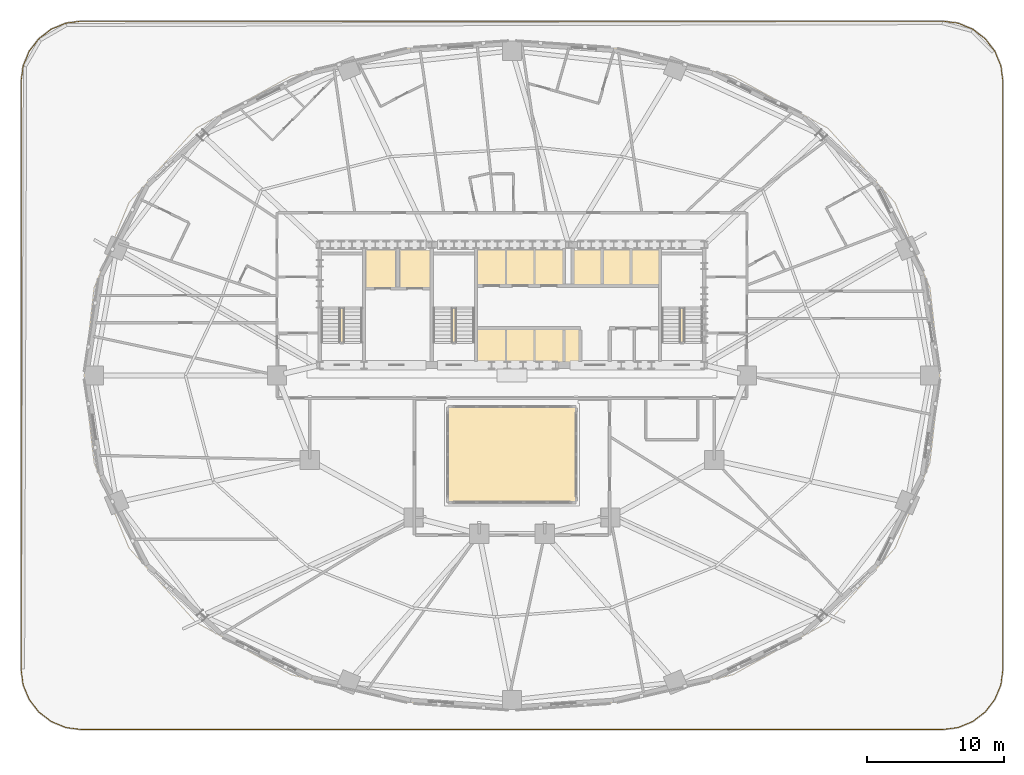
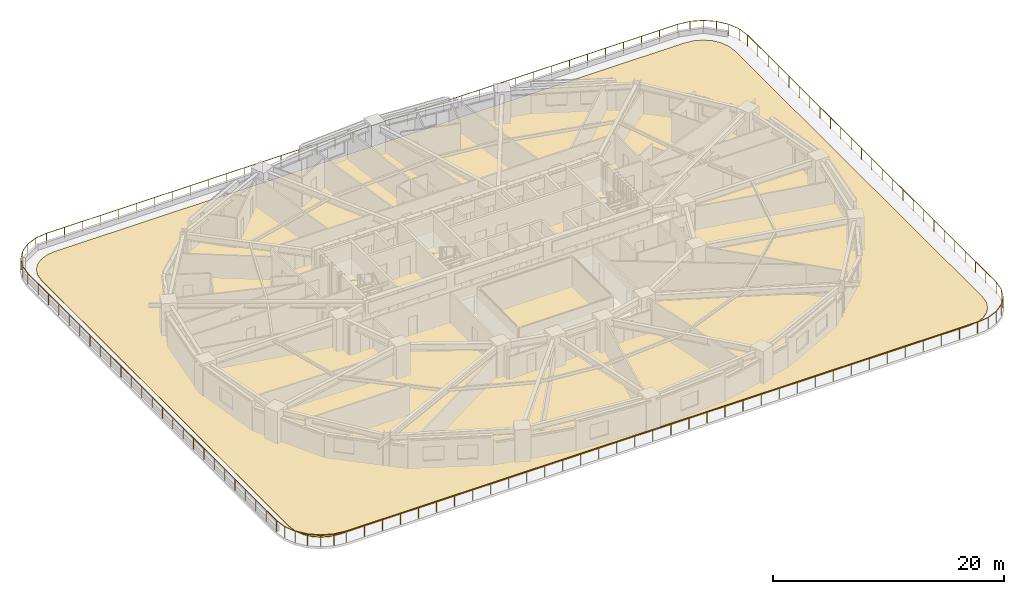
# One storey, part 16 of 18: 1 covering, 1 railing.
"""IFC4 building model written with IfcOpenShell, lengths in metres."""

from ifc_helpers import new_model, si_unit, direction, frame, origin, origin_2d, place, context, subcontext, project, spatial, polyline, rectangle, outline, extrude, material, layer, layer_set, type_object, element, save


model = new_model("IFC4")

# Units and contexts
model_context = context("Model", 3, precision=1e-05, world=origin(), true_north=direction((0.0, 1.0)))
body_context = subcontext(model_context, "Body", "Model", "MODEL_VIEW")
ifc_project = project(units=[si_unit("LENGTHUNIT", "METRE"), si_unit("AREAUNIT", "SQUARE_METRE"), si_unit("VOLUMEUNIT", "CUBIC_METRE"), si_unit("PLANEANGLEUNIT", "RADIAN"), si_unit("MASSUNIT", "GRAM", prefix="KILO")], contexts=[model_context])

# Site, building, storey
site_placement = place(None, origin())
site = spatial("IfcSite", under=ifc_project, at=site_placement, CompositionType="ELEMENT")
building_placement = place(site_placement, origin())
building = spatial("IfcBuilding", under=site, at=building_placement, Name="Haldorwick Loom Tower", CompositionType="ELEMENT")
storey_placement = place(building_placement, frame((0.0, 0.0, 24.0)))
storey = spatial("IfcBuildingStorey", under=building, at=storey_placement, Name="L05", CompositionType="ELEMENT", Elevation=24.0)

# Covering
ifc_material_1 = material(Name="SBS Modified Bitumen Inverted Roof Membrane")
ifc_layer = layer(ifc_material_1, 0.0400390625, Name="SBS Modified Bitumen Inverted Roof Membrane")
ifc_layer_set = layer_set([ifc_layer], Name="SBS Modified Bitumen Inverted Roof Membrane")
covering_type = type_object("IfcCoveringType", Name="ARC-COV-ROOFMEM", PredefinedType="ROOFING", material=ifc_layer_set)
covering_placement = place(storey_placement, origin())
element("IfcCovering", 1, at=covering_placement, inside=storey, type_object=covering_type, Name="L05 Terrace Inverted Roof Membrane 1", PredefinedType="ROOFING", context=body_context, shape_type="SweptSolid", body=[
    extrude(outline(polyline([(67.407958984375, 1.39990234375), (68.297119140625, 1.51708984375), (69.042236328125, 1.8251953125), (69.681884765625, 2.3154296875), (70.173095703125, 2.95458984375), (70.48193359375, 3.69921875), (70.599853515625, 4.5908203125), (70.60009765625, 47.406982421875), (70.48291015625, 48.297119140625), (70.1748046875, 49.042236328125), (69.6845703125, 49.681884765625), (69.04541015625, 50.173095703125), (68.30078125, 50.48193359375), (67.4091796875, 50.599853515625), (4.593017578125, 50.60009765625), (3.702880859375, 50.48291015625), (2.957763671875, 50.1748046875), (2.318115234375, 49.6845703125), (1.826904296875, 49.04541015625), (1.51806640625, 48.30078125), (1.400146484375, 47.4091796875), (1.39990234375, 4.593017578125), (1.51708984375, 3.702880859375), (1.8251953125, 2.957763671875), (2.3154296875, 2.318115234375), (2.95458984375, 1.826904296875), (3.69921875, 1.51806640625), (4.5908203125, 1.400146484375), (67.407958984375, 1.39990234375)])), origin(), (0.0, 0.0, 1.0), 0.0400390625),
])

# Railing
ifc_material_2 = material(Name="Galvanized Steel CSA G40.21 350W", Category="steel")
railing_type = type_object("IfcRailingType", Name="ARC-RLG-BAL120", PredefinedType="BALUSTRADE", material=ifc_material_2)
railing_placement = place(storey_placement, frame((0.080078125, 4.505615234375, 0.0)))
element("IfcRailing", 2, at=railing_placement, inside=storey, type_object=railing_type, Name="L05 Outdoor Terrace Guardrail SLB-L05-TERR-1-1", PredefinedType="BALUSTRADE", context=body_context, shape_type="SweptSolid", body=[
    extrude(rectangle(XDim=0.048095703125, YDim=0.048095703125, at=origin_2d()), frame((0.0, 0.0, 1.17578125), z_axis=(0.0, 1.0, 0.0), x_axis=(-1.0, 0.0, 0.0)), (0.0, 0.0, 1.0), 42.98876953125),
    extrude(rectangle(XDim=0.048095703125, YDim=0.048095703125, at=origin_2d()), frame((0.0, 42.98876953125, 1.17578125), z_axis=(0.130356455476, 0.991467192859, 0.0), x_axis=(-0.991467192859, 0.130356455476, 0.0)), (0.0, 0.0, 1.0), 1.159423828125),
    extrude(rectangle(XDim=0.048095703125, YDim=0.048095703125, at=origin_2d()), frame((0.151123046875, 44.13818359375, 1.17578125), z_axis=(0.38278160771, 0.923838860841, 0.0), x_axis=(-0.923838860841, 0.38278160771, 0.0)), (0.0, 0.0, 1.0), 1.15380859375),
    extrude(rectangle(XDim=0.048095703125, YDim=0.048095703125, at=origin_2d()), frame((0.5927734375, 45.2041015625, 1.17578125), z_axis=(0.608666997817, 0.793425790965, 0.0), x_axis=(-0.793425790965, 0.608666997817, 0.0)), (0.0, 0.0, 1.0), 1.153564453125),
    extrude(rectangle(XDim=0.048095703125, YDim=0.048095703125, at=origin_2d()), frame((1.294921875, 46.119384765625, 1.17578125), z_axis=(0.793425790965, 0.608666997817, 0.0), x_axis=(-0.608666997817, 0.793425790965, 0.0)), (0.0, 0.0, 1.0), 1.153564453125),
    extrude(rectangle(XDim=0.048095703125, YDim=0.048095703125, at=origin_2d()), frame((2.210205078125, 46.821533203125, 1.17578125), z_axis=(0.923838860841, 0.38278160771, 0.0), x_axis=(-0.38278160771, 0.923838860841, 0.0)), (0.0, 0.0, 1.0), 1.15380859375),
    extrude(rectangle(XDim=0.048095703125, YDim=0.048095703125, at=origin_2d()), frame((3.276123046875, 47.26318359375, 1.17578125), z_axis=(0.991467192859, 0.130356455476, 0.0), x_axis=(-0.130356455476, 0.991467192859, 0.0)), (0.0, 0.0, 1.0), 1.159423828125),
    extrude(rectangle(XDim=0.048095703125, YDim=0.048095703125, at=origin_2d()), frame((4.425537109375, 47.414306640625, 1.17578125), z_axis=(1.0, 0.0, 0.0), x_axis=(0.0, 1.0, 0.0)), (0.0, 0.0, 1.0), 62.98876953125),
    extrude(rectangle(XDim=0.048095703125, YDim=0.048095703125, at=origin_2d()), frame((67.414306640625, 47.414306640625, 1.17578125), z_axis=(0.991467192859, -0.130356455476, 0.0), x_axis=(0.130356455476, 0.991467192859, 0.0)), (0.0, 0.0, 1.0), 1.159423828125),
    extrude(rectangle(XDim=0.048095703125, YDim=0.048095703125, at=origin_2d()), frame((68.563720703125, 47.26318359375, 1.17578125), z_axis=(0.923838860841, -0.38278160771, 0.0), x_axis=(0.38278160771, 0.923838860841, 0.0)), (0.0, 0.0, 1.0), 1.15380859375),
    extrude(rectangle(XDim=0.048095703125, YDim=0.048095703125, at=origin_2d()), frame((69.629638671875, 46.821533203125, 1.17578125), z_axis=(0.793425790965, -0.608666997817, 0.0), x_axis=(0.608666997817, 0.793425790965, 0.0)), (0.0, 0.0, 1.0), 1.153564453125),
    extrude(rectangle(XDim=0.048095703125, YDim=0.048095703125, at=origin_2d()), frame((70.544921875, 46.119384765625, 1.17578125), z_axis=(0.608666997817, -0.793425790965, 0.0), x_axis=(0.793425790965, 0.608666997817, 0.0)), (0.0, 0.0, 1.0), 1.153564453125),
    extrude(rectangle(XDim=0.048095703125, YDim=0.048095703125, at=origin_2d()), frame((71.2470703125, 45.2041015625, 1.17578125), z_axis=(0.38278160771, -0.923838860841, 0.0), x_axis=(0.923838860841, 0.38278160771, 0.0)), (0.0, 0.0, 1.0), 1.15380859375),
    extrude(rectangle(XDim=0.048095703125, YDim=0.048095703125, at=origin_2d()), frame((71.688720703125, 44.13818359375, 1.17578125), z_axis=(0.130356455476, -0.991467192859, 0.0), x_axis=(0.991467192859, 0.130356455476, 0.0)), (0.0, 0.0, 1.0), 1.159423828125),
    extrude(rectangle(XDim=0.048095703125, YDim=0.048095703125, at=origin_2d()), frame((71.83984375, 42.98876953125, 1.17578125), z_axis=(0.0, -1.0, 0.0), x_axis=(1.0, 0.0, 0.0)), (0.0, 0.0, 1.0), 42.98876953125),
    extrude(rectangle(XDim=0.048095703125, YDim=0.048095703125, at=origin_2d()), frame((71.83984375, 0.0, 1.17578125), z_axis=(-0.130356455476, -0.991467192859, 0.0), x_axis=(0.991467192859, -0.130356455476, 0.0)), (0.0, 0.0, 1.0), 1.159423828125),
    extrude(rectangle(XDim=0.048095703125, YDim=0.048095703125, at=origin_2d()), frame((71.688720703125, -1.1494140625, 1.17578125), z_axis=(-0.38278160771, -0.923838860841, 0.0), x_axis=(0.923838860841, -0.38278160771, 0.0)), (0.0, 0.0, 1.0), 1.15380859375),
    extrude(rectangle(XDim=0.048095703125, YDim=0.048095703125, at=origin_2d()), frame((71.2470703125, -2.21533203125, 1.17578125), z_axis=(-0.608666997817, -0.793425790965, 0.0), x_axis=(0.793425790965, -0.608666997817, 0.0)), (0.0, 0.0, 1.0), 1.153564453125),
    extrude(rectangle(XDim=0.048095703125, YDim=0.048095703125, at=origin_2d()), frame((70.544921875, -3.130615234375, 1.17578125), z_axis=(-0.793425790965, -0.608666997817, 0.0), x_axis=(0.608666997817, -0.793425790965, 0.0)), (0.0, 0.0, 1.0), 1.153564453125),
    extrude(rectangle(XDim=0.048095703125, YDim=0.048095703125, at=origin_2d()), frame((69.629638671875, -3.832763671875, 1.17578125), z_axis=(-0.923838860841, -0.38278160771, 0.0), x_axis=(0.38278160771, -0.923838860841, 0.0)), (0.0, 0.0, 1.0), 1.15380859375),
    extrude(rectangle(XDim=0.048095703125, YDim=0.048095703125, at=origin_2d()), frame((68.563720703125, -4.2744140625, 1.17578125), z_axis=(-0.991467192859, -0.130356455476, 0.0), x_axis=(0.130356455476, -0.991467192859, 0.0)), (0.0, 0.0, 1.0), 1.159423828125),
    extrude(rectangle(XDim=0.048095703125, YDim=0.048095703125, at=origin_2d()), frame((67.414306640625, -4.425537109375, 1.17578125), z_axis=(-1.0, 0.0, 0.0), x_axis=(0.0, -1.0, 0.0)), (0.0, 0.0, 1.0), 62.98876953125),
    extrude(rectangle(XDim=0.048095703125, YDim=0.048095703125, at=origin_2d()), frame((4.425537109375, -4.425537109375, 1.17578125), z_axis=(-0.991467192859, 0.130356455476, 0.0), x_axis=(-0.130356455476, -0.991467192859, 0.0)), (0.0, 0.0, 1.0), 1.159423828125),
    extrude(rectangle(XDim=0.048095703125, YDim=0.048095703125, at=origin_2d()), frame((3.276123046875, -4.2744140625, 1.17578125), z_axis=(-0.923838860841, 0.38278160771, 0.0), x_axis=(-0.38278160771, -0.923838860841, 0.0)), (0.0, 0.0, 1.0), 1.15380859375),
    extrude(rectangle(XDim=0.048095703125, YDim=0.048095703125, at=origin_2d()), frame((2.210205078125, -3.832763671875, 1.17578125), z_axis=(-0.793425790965, 0.608666997817, 0.0), x_axis=(-0.608666997817, -0.793425790965, 0.0)), (0.0, 0.0, 1.0), 1.153564453125),
    extrude(rectangle(XDim=0.048095703125, YDim=0.048095703125, at=origin_2d()), frame((1.294921875, -3.130615234375, 1.17578125), z_axis=(-0.608666997817, 0.793425790965, 0.0), x_axis=(-0.793425790965, -0.608666997817, 0.0)), (0.0, 0.0, 1.0), 1.153564453125),
    extrude(rectangle(XDim=0.048095703125, YDim=0.048095703125, at=origin_2d()), frame((0.5927734375, -2.21533203125, 1.17578125), z_axis=(-0.38278160771, 0.923838860841, 0.0), x_axis=(-0.923838860841, -0.38278160771, 0.0)), (0.0, 0.0, 1.0), 1.15380859375),
    extrude(rectangle(XDim=0.048095703125, YDim=0.048095703125, at=origin_2d()), frame((0.151123046875, -1.1494140625, 1.17578125), z_axis=(-0.130356455476, 0.991467192859, 0.0), x_axis=(-0.991467192859, -0.130356455476, 0.0)), (0.0, 0.0, 1.0), 1.159423828125),
    extrude(rectangle(XDim=0.0419921875, YDim=0.0419921875, at=origin_2d()), origin(), (0.0, 0.0, 1.0), 1.15185546875),
    extrude(rectangle(XDim=0.0419921875, YDim=0.0419921875, at=origin_2d()), frame((0.0, 1.791259765625, 0.0)), (0.0, 0.0, 1.0), 1.15185546875),
    extrude(rectangle(XDim=0.0419921875, YDim=0.0419921875, at=origin_2d()), frame((0.0, 3.58251953125, 0.0)), (0.0, 0.0, 1.0), 1.15185546875),
    extrude(rectangle(XDim=0.0419921875, YDim=0.0419921875, at=origin_2d()), frame((0.0, 5.37353515625, 0.0)), (0.0, 0.0, 1.0), 1.15185546875),
    extrude(rectangle(XDim=0.0419921875, YDim=0.0419921875, at=origin_2d()), frame((0.0, 7.164794921875, 0.0)), (0.0, 0.0, 1.0), 1.15185546875),
    extrude(rectangle(XDim=0.0419921875, YDim=0.0419921875, at=origin_2d()), frame((0.0, 8.9560546875, 0.0)), (0.0, 0.0, 1.0), 1.15185546875),
    extrude(rectangle(XDim=0.0419921875, YDim=0.0419921875, at=origin_2d()), frame((0.0, 10.7470703125, 0.0)), (0.0, 0.0, 1.0), 1.15185546875),
    extrude(rectangle(XDim=0.0419921875, YDim=0.0419921875, at=origin_2d()), frame((0.0, 12.538330078125, 0.0)), (0.0, 0.0, 1.0), 1.15185546875),
    extrude(rectangle(XDim=0.0419921875, YDim=0.0419921875, at=origin_2d()), frame((0.0, 14.32958984375, 0.0)), (0.0, 0.0, 1.0), 1.15185546875),
    extrude(rectangle(XDim=0.0419921875, YDim=0.0419921875, at=origin_2d()), frame((0.0, 16.120849609375, 0.0)), (0.0, 0.0, 1.0), 1.15185546875),
    extrude(rectangle(XDim=0.0419921875, YDim=0.0419921875, at=origin_2d()), frame((0.0, 17.912109375, 0.0)), (0.0, 0.0, 1.0), 1.15185546875),
    extrude(rectangle(XDim=0.0419921875, YDim=0.0419921875, at=origin_2d()), frame((0.0, 19.703125, 0.0)), (0.0, 0.0, 1.0), 1.15185546875),
    extrude(rectangle(XDim=0.0419921875, YDim=0.0419921875, at=origin_2d()), frame((0.0, 21.494384765625, 0.0)), (0.0, 0.0, 1.0), 1.15185546875),
    extrude(rectangle(XDim=0.0419921875, YDim=0.0419921875, at=origin_2d()), frame((0.0, 23.28564453125, 0.0)), (0.0, 0.0, 1.0), 1.15185546875),
    extrude(rectangle(XDim=0.0419921875, YDim=0.0419921875, at=origin_2d()), frame((0.0, 25.07666015625, 0.0)), (0.0, 0.0, 1.0), 1.15185546875),
    extrude(rectangle(XDim=0.0419921875, YDim=0.0419921875, at=origin_2d()), frame((0.0, 26.867919921875, 0.0)), (0.0, 0.0, 1.0), 1.15185546875),
    extrude(rectangle(XDim=0.0419921875, YDim=0.0419921875, at=origin_2d()), frame((0.0, 28.6591796875, 0.0)), (0.0, 0.0, 1.0), 1.15185546875),
    extrude(rectangle(XDim=0.0419921875, YDim=0.0419921875, at=origin_2d()), frame((0.0, 30.450439453125, 0.0)), (0.0, 0.0, 1.0), 1.15185546875),
    extrude(rectangle(XDim=0.0419921875, YDim=0.0419921875, at=origin_2d()), frame((0.0, 32.24169921875, 0.0)), (0.0, 0.0, 1.0), 1.15185546875),
    extrude(rectangle(XDim=0.0419921875, YDim=0.0419921875, at=origin_2d()), frame((0.0, 34.03271484375, 0.0)), (0.0, 0.0, 1.0), 1.15185546875),
    extrude(rectangle(XDim=0.0419921875, YDim=0.0419921875, at=origin_2d()), frame((0.0, 35.823974609375, 0.0)), (0.0, 0.0, 1.0), 1.15185546875),
    extrude(rectangle(XDim=0.0419921875, YDim=0.0419921875, at=origin_2d()), frame((0.0, 37.615234375, 0.0)), (0.0, 0.0, 1.0), 1.15185546875),
    extrude(rectangle(XDim=0.0419921875, YDim=0.0419921875, at=origin_2d()), frame((0.0, 39.40625, 0.0)), (0.0, 0.0, 1.0), 1.15185546875),
    extrude(rectangle(XDim=0.0419921875, YDim=0.0419921875, at=origin_2d()), frame((0.0, 41.197509765625, 0.0)), (0.0, 0.0, 1.0), 1.15185546875),
    extrude(rectangle(XDim=0.0419921875, YDim=0.0419921875, at=origin_2d()), frame((0.0, 42.98876953125, 0.0)), (0.0, 0.0, 1.0), 1.15185546875),
    extrude(rectangle(XDim=0.0419921875, YDim=0.0419921875, at=origin_2d()), frame((0.151123046875, 44.13818359375, 0.0)), (0.0, 0.0, 1.0), 1.15185546875),
    extrude(rectangle(XDim=0.0419921875, YDim=0.0419921875, at=origin_2d()), frame((0.5927734375, 45.2041015625, 0.0)), (0.0, 0.0, 1.0), 1.15185546875),
    extrude(rectangle(XDim=0.0419921875, YDim=0.0419921875, at=origin_2d()), frame((1.294921875, 46.119384765625, 0.0)), (0.0, 0.0, 1.0), 1.15185546875),
    extrude(rectangle(XDim=0.0419921875, YDim=0.0419921875, at=origin_2d()), frame((2.210205078125, 46.821533203125, 0.0)), (0.0, 0.0, 1.0), 1.15185546875),
    extrude(rectangle(XDim=0.0419921875, YDim=0.0419921875, at=origin_2d()), frame((3.276123046875, 47.26318359375, 0.0)), (0.0, 0.0, 1.0), 1.15185546875),
    extrude(rectangle(XDim=0.0419921875, YDim=0.0419921875, at=origin_2d()), frame((4.425537109375, 47.414306640625, 0.0)), (0.0, 0.0, 1.0), 1.15185546875),
    extrude(rectangle(XDim=0.0419921875, YDim=0.0419921875, at=origin_2d()), frame((6.22509765625, 47.414306640625, 0.0)), (0.0, 0.0, 1.0), 1.15185546875),
    extrude(rectangle(XDim=0.0419921875, YDim=0.0419921875, at=origin_2d()), frame((8.02490234375, 47.414306640625, 0.0)), (0.0, 0.0, 1.0), 1.15185546875),
    extrude(rectangle(XDim=0.0419921875, YDim=0.0419921875, at=origin_2d()), frame((9.824462890625, 47.414306640625, 0.0)), (0.0, 0.0, 1.0), 1.15185546875),
    extrude(rectangle(XDim=0.0419921875, YDim=0.0419921875, at=origin_2d()), frame((11.624267578125, 47.414306640625, 0.0)), (0.0, 0.0, 1.0), 1.15185546875),
    extrude(rectangle(XDim=0.0419921875, YDim=0.0419921875, at=origin_2d()), frame((13.423828125, 47.414306640625, 0.0)), (0.0, 0.0, 1.0), 1.15185546875),
    extrude(rectangle(XDim=0.0419921875, YDim=0.0419921875, at=origin_2d()), frame((15.2236328125, 47.414306640625, 0.0)), (0.0, 0.0, 1.0), 1.15185546875),
    extrude(rectangle(XDim=0.0419921875, YDim=0.0419921875, at=origin_2d()), frame((17.023193359375, 47.414306640625, 0.0)), (0.0, 0.0, 1.0), 1.15185546875),
    extrude(rectangle(XDim=0.0419921875, YDim=0.0419921875, at=origin_2d()), frame((18.822998046875, 47.414306640625, 0.0)), (0.0, 0.0, 1.0), 1.15185546875),
    extrude(rectangle(XDim=0.0419921875, YDim=0.0419921875, at=origin_2d()), frame((20.62255859375, 47.414306640625, 0.0)), (0.0, 0.0, 1.0), 1.15185546875),
    extrude(rectangle(XDim=0.0419921875, YDim=0.0419921875, at=origin_2d()), frame((22.42236328125, 47.414306640625, 0.0)), (0.0, 0.0, 1.0), 1.15185546875),
    extrude(rectangle(XDim=0.0419921875, YDim=0.0419921875, at=origin_2d()), frame((24.221923828125, 47.414306640625, 0.0)), (0.0, 0.0, 1.0), 1.15185546875),
    extrude(rectangle(XDim=0.0419921875, YDim=0.0419921875, at=origin_2d()), frame((26.021728515625, 47.414306640625, 0.0)), (0.0, 0.0, 1.0), 1.15185546875),
    extrude(rectangle(XDim=0.0419921875, YDim=0.0419921875, at=origin_2d()), frame((27.8212890625, 47.414306640625, 0.0)), (0.0, 0.0, 1.0), 1.15185546875),
    extrude(rectangle(XDim=0.0419921875, YDim=0.0419921875, at=origin_2d()), frame((29.62109375, 47.414306640625, 0.0)), (0.0, 0.0, 1.0), 1.15185546875),
    extrude(rectangle(XDim=0.0419921875, YDim=0.0419921875, at=origin_2d()), frame((31.420654296875, 47.414306640625, 0.0)), (0.0, 0.0, 1.0), 1.15185546875),
    extrude(rectangle(XDim=0.0419921875, YDim=0.0419921875, at=origin_2d()), frame((33.220458984375, 47.414306640625, 0.0)), (0.0, 0.0, 1.0), 1.15185546875),
    extrude(rectangle(XDim=0.0419921875, YDim=0.0419921875, at=origin_2d()), frame((35.02001953125, 47.414306640625, 0.0)), (0.0, 0.0, 1.0), 1.15185546875),
    extrude(rectangle(XDim=0.0419921875, YDim=0.0419921875, at=origin_2d()), frame((36.81982421875, 47.414306640625, 0.0)), (0.0, 0.0, 1.0), 1.15185546875),
    extrude(rectangle(XDim=0.0419921875, YDim=0.0419921875, at=origin_2d()), frame((38.619384765625, 47.414306640625, 0.0)), (0.0, 0.0, 1.0), 1.15185546875),
    extrude(rectangle(XDim=0.0419921875, YDim=0.0419921875, at=origin_2d()), frame((40.419189453125, 47.414306640625, 0.0)), (0.0, 0.0, 1.0), 1.15185546875),
    extrude(rectangle(XDim=0.0419921875, YDim=0.0419921875, at=origin_2d()), frame((42.21875, 47.414306640625, 0.0)), (0.0, 0.0, 1.0), 1.15185546875),
    extrude(rectangle(XDim=0.0419921875, YDim=0.0419921875, at=origin_2d()), frame((44.0185546875, 47.414306640625, 0.0)), (0.0, 0.0, 1.0), 1.15185546875),
    extrude(rectangle(XDim=0.0419921875, YDim=0.0419921875, at=origin_2d()), frame((45.818115234375, 47.414306640625, 0.0)), (0.0, 0.0, 1.0), 1.15185546875),
    extrude(rectangle(XDim=0.0419921875, YDim=0.0419921875, at=origin_2d()), frame((47.617919921875, 47.414306640625, 0.0)), (0.0, 0.0, 1.0), 1.15185546875),
    extrude(rectangle(XDim=0.0419921875, YDim=0.0419921875, at=origin_2d()), frame((49.41748046875, 47.414306640625, 0.0)), (0.0, 0.0, 1.0), 1.15185546875),
    extrude(rectangle(XDim=0.0419921875, YDim=0.0419921875, at=origin_2d()), frame((51.21728515625, 47.414306640625, 0.0)), (0.0, 0.0, 1.0), 1.15185546875),
    extrude(rectangle(XDim=0.0419921875, YDim=0.0419921875, at=origin_2d()), frame((53.016845703125, 47.414306640625, 0.0)), (0.0, 0.0, 1.0), 1.15185546875),
    extrude(rectangle(XDim=0.0419921875, YDim=0.0419921875, at=origin_2d()), frame((54.816650390625, 47.414306640625, 0.0)), (0.0, 0.0, 1.0), 1.15185546875),
    extrude(rectangle(XDim=0.0419921875, YDim=0.0419921875, at=origin_2d()), frame((56.6162109375, 47.414306640625, 0.0)), (0.0, 0.0, 1.0), 1.15185546875),
    extrude(rectangle(XDim=0.0419921875, YDim=0.0419921875, at=origin_2d()), frame((58.416015625, 47.414306640625, 0.0)), (0.0, 0.0, 1.0), 1.15185546875),
    extrude(rectangle(XDim=0.0419921875, YDim=0.0419921875, at=origin_2d()), frame((60.215576171875, 47.414306640625, 0.0)), (0.0, 0.0, 1.0), 1.15185546875),
    extrude(rectangle(XDim=0.0419921875, YDim=0.0419921875, at=origin_2d()), frame((62.015380859375, 47.414306640625, 0.0)), (0.0, 0.0, 1.0), 1.15185546875),
    extrude(rectangle(XDim=0.0419921875, YDim=0.0419921875, at=origin_2d()), frame((63.81494140625, 47.414306640625, 0.0)), (0.0, 0.0, 1.0), 1.15185546875),
    extrude(rectangle(XDim=0.0419921875, YDim=0.0419921875, at=origin_2d()), frame((65.61474609375, 47.414306640625, 0.0)), (0.0, 0.0, 1.0), 1.15185546875),
    extrude(rectangle(XDim=0.0419921875, YDim=0.0419921875, at=origin_2d()), frame((67.414306640625, 47.414306640625, 0.0)), (0.0, 0.0, 1.0), 1.15185546875),
    extrude(rectangle(XDim=0.0419921875, YDim=0.0419921875, at=origin_2d()), frame((68.563720703125, 47.26318359375, 0.0)), (0.0, 0.0, 1.0), 1.15185546875),
    extrude(rectangle(XDim=0.0419921875, YDim=0.0419921875, at=origin_2d()), frame((69.629638671875, 46.821533203125, 0.0)), (0.0, 0.0, 1.0), 1.15185546875),
    extrude(rectangle(XDim=0.0419921875, YDim=0.0419921875, at=origin_2d()), frame((70.544921875, 46.119384765625, 0.0)), (0.0, 0.0, 1.0), 1.15185546875),
    extrude(rectangle(XDim=0.0419921875, YDim=0.0419921875, at=origin_2d()), frame((71.2470703125, 45.2041015625, 0.0)), (0.0, 0.0, 1.0), 1.15185546875),
    extrude(rectangle(XDim=0.0419921875, YDim=0.0419921875, at=origin_2d()), frame((71.688720703125, 44.13818359375, 0.0)), (0.0, 0.0, 1.0), 1.15185546875),
    extrude(rectangle(XDim=0.0419921875, YDim=0.0419921875, at=origin_2d()), frame((71.83984375, 42.98876953125, 0.0)), (0.0, 0.0, 1.0), 1.15185546875),
    extrude(rectangle(XDim=0.0419921875, YDim=0.0419921875, at=origin_2d()), frame((71.83984375, 41.197509765625, 0.0)), (0.0, 0.0, 1.0), 1.15185546875),
    extrude(rectangle(XDim=0.0419921875, YDim=0.0419921875, at=origin_2d()), frame((71.83984375, 39.40625, 0.0)), (0.0, 0.0, 1.0), 1.15185546875),
    extrude(rectangle(XDim=0.0419921875, YDim=0.0419921875, at=origin_2d()), frame((71.83984375, 37.615234375, 0.0)), (0.0, 0.0, 1.0), 1.15185546875),
    extrude(rectangle(XDim=0.0419921875, YDim=0.0419921875, at=origin_2d()), frame((71.83984375, 35.823974609375, 0.0)), (0.0, 0.0, 1.0), 1.15185546875),
    extrude(rectangle(XDim=0.0419921875, YDim=0.0419921875, at=origin_2d()), frame((71.83984375, 34.03271484375, 0.0)), (0.0, 0.0, 1.0), 1.15185546875),
    extrude(rectangle(XDim=0.0419921875, YDim=0.0419921875, at=origin_2d()), frame((71.83984375, 32.24169921875, 0.0)), (0.0, 0.0, 1.0), 1.15185546875),
    extrude(rectangle(XDim=0.0419921875, YDim=0.0419921875, at=origin_2d()), frame((71.83984375, 30.450439453125, 0.0)), (0.0, 0.0, 1.0), 1.15185546875),
    extrude(rectangle(XDim=0.0419921875, YDim=0.0419921875, at=origin_2d()), frame((71.83984375, 28.6591796875, 0.0)), (0.0, 0.0, 1.0), 1.15185546875),
    extrude(rectangle(XDim=0.0419921875, YDim=0.0419921875, at=origin_2d()), frame((71.83984375, 26.867919921875, 0.0)), (0.0, 0.0, 1.0), 1.15185546875),
    extrude(rectangle(XDim=0.0419921875, YDim=0.0419921875, at=origin_2d()), frame((71.83984375, 25.07666015625, 0.0)), (0.0, 0.0, 1.0), 1.15185546875),
    extrude(rectangle(XDim=0.0419921875, YDim=0.0419921875, at=origin_2d()), frame((71.83984375, 23.28564453125, 0.0)), (0.0, 0.0, 1.0), 1.15185546875),
    extrude(rectangle(XDim=0.0419921875, YDim=0.0419921875, at=origin_2d()), frame((71.83984375, 21.494384765625, 0.0)), (0.0, 0.0, 1.0), 1.15185546875),
    extrude(rectangle(XDim=0.0419921875, YDim=0.0419921875, at=origin_2d()), frame((71.83984375, 19.703125, 0.0)), (0.0, 0.0, 1.0), 1.15185546875),
    extrude(rectangle(XDim=0.0419921875, YDim=0.0419921875, at=origin_2d()), frame((71.83984375, 17.912109375, 0.0)), (0.0, 0.0, 1.0), 1.15185546875),
    extrude(rectangle(XDim=0.0419921875, YDim=0.0419921875, at=origin_2d()), frame((71.83984375, 16.120849609375, 0.0)), (0.0, 0.0, 1.0), 1.15185546875),
    extrude(rectangle(XDim=0.0419921875, YDim=0.0419921875, at=origin_2d()), frame((71.83984375, 14.32958984375, 0.0)), (0.0, 0.0, 1.0), 1.15185546875),
    extrude(rectangle(XDim=0.0419921875, YDim=0.0419921875, at=origin_2d()), frame((71.83984375, 12.538330078125, 0.0)), (0.0, 0.0, 1.0), 1.15185546875),
    extrude(rectangle(XDim=0.0419921875, YDim=0.0419921875, at=origin_2d()), frame((71.83984375, 10.7470703125, 0.0)), (0.0, 0.0, 1.0), 1.15185546875),
    extrude(rectangle(XDim=0.0419921875, YDim=0.0419921875, at=origin_2d()), frame((71.83984375, 8.9560546875, 0.0)), (0.0, 0.0, 1.0), 1.15185546875),
    extrude(rectangle(XDim=0.0419921875, YDim=0.0419921875, at=origin_2d()), frame((71.83984375, 7.164794921875, 0.0)), (0.0, 0.0, 1.0), 1.15185546875),
    extrude(rectangle(XDim=0.0419921875, YDim=0.0419921875, at=origin_2d()), frame((71.83984375, 5.37353515625, 0.0)), (0.0, 0.0, 1.0), 1.15185546875),
    extrude(rectangle(XDim=0.0419921875, YDim=0.0419921875, at=origin_2d()), frame((71.83984375, 3.58251953125, 0.0)), (0.0, 0.0, 1.0), 1.15185546875),
    extrude(rectangle(XDim=0.0419921875, YDim=0.0419921875, at=origin_2d()), frame((71.83984375, 1.791259765625, 0.0)), (0.0, 0.0, 1.0), 1.15185546875),
    extrude(rectangle(XDim=0.0419921875, YDim=0.0419921875, at=origin_2d()), frame((71.83984375, 0.0, 0.0)), (0.0, 0.0, 1.0), 1.15185546875),
    extrude(rectangle(XDim=0.0419921875, YDim=0.0419921875, at=origin_2d()), frame((71.688720703125, -1.1494140625, 0.0)), (0.0, 0.0, 1.0), 1.15185546875),
    extrude(rectangle(XDim=0.0419921875, YDim=0.0419921875, at=origin_2d()), frame((71.2470703125, -2.21533203125, 0.0)), (0.0, 0.0, 1.0), 1.15185546875),
    extrude(rectangle(XDim=0.0419921875, YDim=0.0419921875, at=origin_2d()), frame((70.544921875, -3.130615234375, 0.0)), (0.0, 0.0, 1.0), 1.15185546875),
    extrude(rectangle(XDim=0.0419921875, YDim=0.0419921875, at=origin_2d()), frame((69.629638671875, -3.832763671875, 0.0)), (0.0, 0.0, 1.0), 1.15185546875),
    extrude(rectangle(XDim=0.0419921875, YDim=0.0419921875, at=origin_2d()), frame((68.563720703125, -4.2744140625, 0.0)), (0.0, 0.0, 1.0), 1.15185546875),
    extrude(rectangle(XDim=0.0419921875, YDim=0.0419921875, at=origin_2d()), frame((67.414306640625, -4.425537109375, 0.0)), (0.0, 0.0, 1.0), 1.15185546875),
    extrude(rectangle(XDim=0.0419921875, YDim=0.0419921875, at=origin_2d()), frame((65.61474609375, -4.425537109375, 0.0)), (0.0, 0.0, 1.0), 1.15185546875),
    extrude(rectangle(XDim=0.0419921875, YDim=0.0419921875, at=origin_2d()), frame((63.81494140625, -4.425537109375, 0.0)), (0.0, 0.0, 1.0), 1.15185546875),
    extrude(rectangle(XDim=0.0419921875, YDim=0.0419921875, at=origin_2d()), frame((62.015380859375, -4.425537109375, 0.0)), (0.0, 0.0, 1.0), 1.15185546875),
    extrude(rectangle(XDim=0.0419921875, YDim=0.0419921875, at=origin_2d()), frame((60.215576171875, -4.425537109375, 0.0)), (0.0, 0.0, 1.0), 1.15185546875),
    extrude(rectangle(XDim=0.0419921875, YDim=0.0419921875, at=origin_2d()), frame((58.416015625, -4.425537109375, 0.0)), (0.0, 0.0, 1.0), 1.15185546875),
    extrude(rectangle(XDim=0.0419921875, YDim=0.0419921875, at=origin_2d()), frame((56.6162109375, -4.425537109375, 0.0)), (0.0, 0.0, 1.0), 1.15185546875),
    extrude(rectangle(XDim=0.0419921875, YDim=0.0419921875, at=origin_2d()), frame((54.816650390625, -4.425537109375, 0.0)), (0.0, 0.0, 1.0), 1.15185546875),
    extrude(rectangle(XDim=0.0419921875, YDim=0.0419921875, at=origin_2d()), frame((53.016845703125, -4.425537109375, 0.0)), (0.0, 0.0, 1.0), 1.15185546875),
    extrude(rectangle(XDim=0.0419921875, YDim=0.0419921875, at=origin_2d()), frame((51.21728515625, -4.425537109375, 0.0)), (0.0, 0.0, 1.0), 1.15185546875),
    extrude(rectangle(XDim=0.0419921875, YDim=0.0419921875, at=origin_2d()), frame((49.41748046875, -4.425537109375, 0.0)), (0.0, 0.0, 1.0), 1.15185546875),
    extrude(rectangle(XDim=0.0419921875, YDim=0.0419921875, at=origin_2d()), frame((47.617919921875, -4.425537109375, 0.0)), (0.0, 0.0, 1.0), 1.15185546875),
    extrude(rectangle(XDim=0.0419921875, YDim=0.0419921875, at=origin_2d()), frame((45.818115234375, -4.425537109375, 0.0)), (0.0, 0.0, 1.0), 1.15185546875),
    extrude(rectangle(XDim=0.0419921875, YDim=0.0419921875, at=origin_2d()), frame((44.0185546875, -4.425537109375, 0.0)), (0.0, 0.0, 1.0), 1.15185546875),
    extrude(rectangle(XDim=0.0419921875, YDim=0.0419921875, at=origin_2d()), frame((42.21875, -4.425537109375, 0.0)), (0.0, 0.0, 1.0), 1.15185546875),
    extrude(rectangle(XDim=0.0419921875, YDim=0.0419921875, at=origin_2d()), frame((40.419189453125, -4.425537109375, 0.0)), (0.0, 0.0, 1.0), 1.15185546875),
    extrude(rectangle(XDim=0.0419921875, YDim=0.0419921875, at=origin_2d()), frame((38.619384765625, -4.425537109375, 0.0)), (0.0, 0.0, 1.0), 1.15185546875),
    extrude(rectangle(XDim=0.0419921875, YDim=0.0419921875, at=origin_2d()), frame((36.81982421875, -4.425537109375, 0.0)), (0.0, 0.0, 1.0), 1.15185546875),
    extrude(rectangle(XDim=0.0419921875, YDim=0.0419921875, at=origin_2d()), frame((35.02001953125, -4.425537109375, 0.0)), (0.0, 0.0, 1.0), 1.15185546875),
    extrude(rectangle(XDim=0.0419921875, YDim=0.0419921875, at=origin_2d()), frame((33.220458984375, -4.425537109375, 0.0)), (0.0, 0.0, 1.0), 1.15185546875),
    extrude(rectangle(XDim=0.0419921875, YDim=0.0419921875, at=origin_2d()), frame((31.420654296875, -4.425537109375, 0.0)), (0.0, 0.0, 1.0), 1.15185546875),
    extrude(rectangle(XDim=0.0419921875, YDim=0.0419921875, at=origin_2d()), frame((29.62109375, -4.425537109375, 0.0)), (0.0, 0.0, 1.0), 1.15185546875),
    extrude(rectangle(XDim=0.0419921875, YDim=0.0419921875, at=origin_2d()), frame((27.8212890625, -4.425537109375, 0.0)), (0.0, 0.0, 1.0), 1.15185546875),
    extrude(rectangle(XDim=0.0419921875, YDim=0.0419921875, at=origin_2d()), frame((26.021728515625, -4.425537109375, 0.0)), (0.0, 0.0, 1.0), 1.15185546875),
    extrude(rectangle(XDim=0.0419921875, YDim=0.0419921875, at=origin_2d()), frame((24.221923828125, -4.425537109375, 0.0)), (0.0, 0.0, 1.0), 1.15185546875),
    extrude(rectangle(XDim=0.0419921875, YDim=0.0419921875, at=origin_2d()), frame((22.42236328125, -4.425537109375, 0.0)), (0.0, 0.0, 1.0), 1.15185546875),
    extrude(rectangle(XDim=0.0419921875, YDim=0.0419921875, at=origin_2d()), frame((20.62255859375, -4.425537109375, 0.0)), (0.0, 0.0, 1.0), 1.15185546875),
    extrude(rectangle(XDim=0.0419921875, YDim=0.0419921875, at=origin_2d()), frame((18.822998046875, -4.425537109375, 0.0)), (0.0, 0.0, 1.0), 1.15185546875),
    extrude(rectangle(XDim=0.0419921875, YDim=0.0419921875, at=origin_2d()), frame((17.023193359375, -4.425537109375, 0.0)), (0.0, 0.0, 1.0), 1.15185546875),
    extrude(rectangle(XDim=0.0419921875, YDim=0.0419921875, at=origin_2d()), frame((15.2236328125, -4.425537109375, 0.0)), (0.0, 0.0, 1.0), 1.15185546875),
    extrude(rectangle(XDim=0.0419921875, YDim=0.0419921875, at=origin_2d()), frame((13.423828125, -4.425537109375, 0.0)), (0.0, 0.0, 1.0), 1.15185546875),
    extrude(rectangle(XDim=0.0419921875, YDim=0.0419921875, at=origin_2d()), frame((11.624267578125, -4.425537109375, 0.0)), (0.0, 0.0, 1.0), 1.15185546875),
    extrude(rectangle(XDim=0.0419921875, YDim=0.0419921875, at=origin_2d()), frame((9.824462890625, -4.425537109375, 0.0)), (0.0, 0.0, 1.0), 1.15185546875),
    extrude(rectangle(XDim=0.0419921875, YDim=0.0419921875, at=origin_2d()), frame((8.02490234375, -4.425537109375, 0.0)), (0.0, 0.0, 1.0), 1.15185546875),
    extrude(rectangle(XDim=0.0419921875, YDim=0.0419921875, at=origin_2d()), frame((6.22509765625, -4.425537109375, 0.0)), (0.0, 0.0, 1.0), 1.15185546875),
    extrude(rectangle(XDim=0.0419921875, YDim=0.0419921875, at=origin_2d()), frame((4.425537109375, -4.425537109375, 0.0)), (0.0, 0.0, 1.0), 1.15185546875),
    extrude(rectangle(XDim=0.0419921875, YDim=0.0419921875, at=origin_2d()), frame((3.276123046875, -4.2744140625, 0.0)), (0.0, 0.0, 1.0), 1.15185546875),
    extrude(rectangle(XDim=0.0419921875, YDim=0.0419921875, at=origin_2d()), frame((2.210205078125, -3.832763671875, 0.0)), (0.0, 0.0, 1.0), 1.15185546875),
    extrude(rectangle(XDim=0.0419921875, YDim=0.0419921875, at=origin_2d()), frame((1.294921875, -3.130615234375, 0.0)), (0.0, 0.0, 1.0), 1.15185546875),
    extrude(rectangle(XDim=0.0419921875, YDim=0.0419921875, at=origin_2d()), frame((0.5927734375, -2.21533203125, 0.0)), (0.0, 0.0, 1.0), 1.15185546875),
    extrude(rectangle(XDim=0.0419921875, YDim=0.0419921875, at=origin_2d()), frame((0.151123046875, -1.1494140625, 0.0)), (0.0, 0.0, 1.0), 1.15185546875),
])

save(model, "model.ifc")
